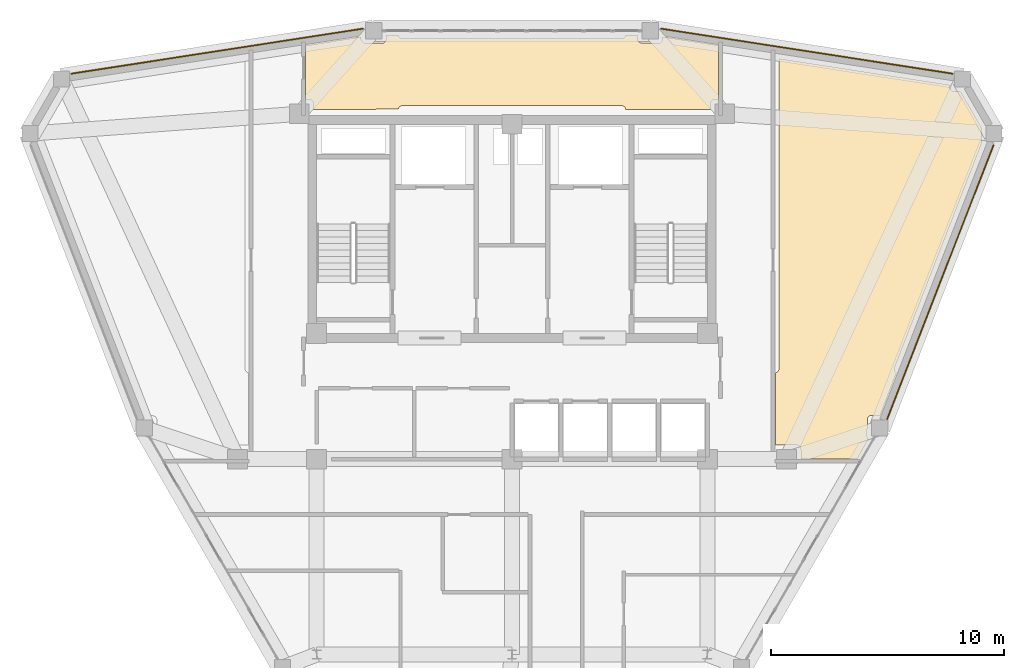
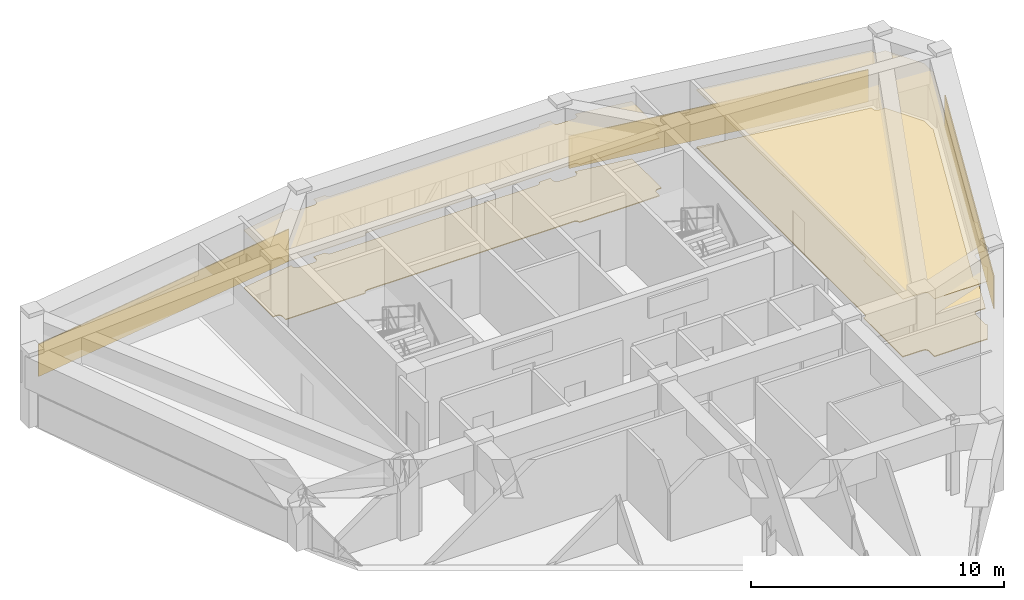
# One storey, part 14 of 14: 7 coverings.
"""IFC4 building model written with IfcOpenShell, lengths in metres."""

from ifc_helpers import new_model, si_unit, derived_unit, direction, frame, origin, place, context, subcontext, project, spatial, polyline, outline, extrude, material, layer, layer_set, type_object, element, save


model = new_model("IFC4")

# Units and contexts
model_context = context("Model", 3, precision=1e-05, world=origin(), true_north=direction((0.0, 1.0)))
body_context = subcontext(model_context, "Body", "Model", "MODEL_VIEW")
ifc_project = project(units=[si_unit("LENGTHUNIT", "METRE"), si_unit("AREAUNIT", "SQUARE_METRE"), si_unit("VOLUMEUNIT", "CUBIC_METRE"), si_unit("PLANEANGLEUNIT", "RADIAN"), si_unit("MASSUNIT", "GRAM", prefix="KILO"), derived_unit("THERMALTRANSMITTANCEUNIT", [(si_unit("POWERUNIT", "WATT"), 1), (si_unit("LENGTHUNIT", "METRE"), -2), (si_unit("THERMODYNAMICTEMPERATUREUNIT", "KELVIN"), -1)])], contexts=[model_context])

# Site, building, storey
site_placement = place(None, origin())
site = spatial("IfcSite", under=ifc_project, at=site_placement, CompositionType="ELEMENT")
building_placement = place(site_placement, origin())
building = spatial("IfcBuilding", under=site, at=building_placement, Name="Korsvarv Bourse and Concert Hall", CompositionType="ELEMENT")
storey_placement = place(building_placement, frame((0.0, 0.0, 253.800048828125)))
storey = spatial("IfcBuildingStorey", under=building, at=storey_placement, Name="L66", CompositionType="ELEMENT", Elevation=253.800048828125)

# Coverings
ifc_material_1 = material(Name="Perforated mineral-wool and birch acoustic baffle ceiling", Category="wood")
ifc_layer_1 = layer(ifc_material_1, 0.02490234375)
ifc_layer_set_1 = layer_set([ifc_layer_1], Name="Perforated mineral-wool and birch acoustic baffle ceiling")
covering_type_1 = type_object("IfcCoveringType", Name="COV-CEIL-1", PredefinedType="CEILING", material=ifc_layer_set_1)
covering_1_placement = place(storey_placement, frame((0.0, 0.0, 2.7900390625)))
element("IfcCovering", 1, at=covering_1_placement, inside=storey, type_object=covering_type_1, Name="L66 acoustic baffle ceiling 2", PredefinedType="CEILING", context=body_context, shape_type="SweptSolid", body=[
    extrude(outline(polyline([(47.320068359375, 36.111328125), (47.34521484375, 36.11572265625), (47.37939453125, 36.12841796875), (47.41015625, 36.147705078125), (47.4365234375, 36.1728515625), (47.45751953125, 36.20263671875), (47.4716796875, 36.236083984375), (47.47900390625, 36.271728515625), (47.47998046875, 49.623779296875), (54.82861328125, 48.48828125), (54.82861328125, 48.39892578125), (54.831787109375, 48.364501953125), (54.841796875, 48.331298828125), (54.85791015625, 48.300537109375), (54.879638671875, 48.2734375), (54.906005859375, 48.2509765625), (54.936279296875, 48.234130859375), (54.969482421875, 48.223388671875), (55.00390625, 48.218994140625), (55.2861328125, 48.211669921875), (56.185302734375, 46.654296875), (56.185302734375, 46.049072265625), (56.188720703125, 46.01416015625), (56.198486328125, 45.981689453125), (52.456787109375, 36.343994140625), (52.447265625, 36.30908203125), (52.44482421875, 36.272705078125), (52.44970703125, 36.23681640625), (52.4619140625, 36.202392578125), (52.480712890625, 36.171142578125), (52.505126953125, 36.144287109375), (52.53466796875, 36.123046875), (51.826416015625, 34.27783203125), (51.459716796875, 34.27783203125), (51.4248046875, 34.2744140625), (51.391357421875, 34.264404296875), (51.360595703125, 34.248046875), (51.333251953125, 34.22607421875), (51.310791015625, 34.19921875), (51.294189453125, 34.16845703125), (51.28369140625, 34.135009765625), (51.27978515625, 34.100341796875), (51.269775390625, 33.390380859375), (51.27294921875, 33.35400390625), (51.283203125, 33.319091796875), (51.300537109375, 33.287109375), (51.32373046875, 33.25927734375), (50.826416015625, 32.394775390625), (50.801513671875, 32.402099609375), (50.76611328125, 32.405517578125), (48.4150390625, 32.40966796875), (48.4150390625, 32.824951171875), (48.41162109375, 32.85986328125), (48.401611328125, 32.893310546875), (48.385009765625, 32.92431640625), (48.363037109375, 32.951416015625), (48.336181640625, 32.973876953125), (48.305419921875, 32.99072265625), (48.27197265625, 33.001220703125), (48.237060546875, 33.0048828125), (47.377197265625, 33.014892578125), (47.342041015625, 33.011962890625), (47.320068359375, 33.006103515625), (47.320068359375, 36.111328125)])), origin(), (0.0, 0.0, 1.0), 0.02490234375),
])
covering_2_placement = place(storey_placement, frame((0.0, 0.0, 2.7900390625)))
element("IfcCovering", 2, at=covering_2_placement, inside=storey, type_object=covering_type_1, Name="L66 acoustic baffle ceiling 3", PredefinedType="CEILING", context=body_context, shape_type="SweptSolid", body=[
    extrude(outline(polyline([(29.514404296875, 50.55712890625), (29.514404296875, 50.47265625), (29.517578125, 50.43798828125), (29.52783203125, 50.404296875), (29.544189453125, 50.37353515625), (29.566162109375, 50.34619140625), (29.593017578125, 50.323974609375), (29.623779296875, 50.30712890625), (29.656982421875, 50.296630859375), (29.69189453125, 50.292724609375), (30.40185546875, 50.28271484375), (30.4365234375, 50.28564453125), (30.47021484375, 50.295166015625), (30.50146484375, 50.31103515625), (30.52880859375, 50.332763671875), (30.5517578125, 50.359375), (30.56884765625, 50.389892578125), (30.579833984375, 50.423095703125), (30.584228515625, 50.457763671875), (30.58935546875, 50.642578125), (31.111328125, 50.642578125), (31.11572265625, 50.617431640625), (31.12841796875, 50.58349609375), (31.147705078125, 50.552490234375), (31.1728515625, 50.526123046875), (31.20263671875, 50.50537109375), (31.236083984375, 50.490966796875), (31.271728515625, 50.483642578125), (40.7099609375, 50.482666015625), (40.74609375, 50.486328125), (40.781005859375, 50.497314453125), (40.812744140625, 50.514892578125), (40.84033203125, 50.538818359375), (40.86279296875, 50.5673828125), (40.87890625, 50.60009765625), (40.887939453125, 50.635498046875), (41.40576171875, 50.642578125), (41.40576171875, 50.47265625), (41.4091796875, 50.43798828125), (41.419189453125, 50.404296875), (41.435546875, 50.37353515625), (41.45751953125, 50.34619140625), (41.484375, 50.323974609375), (41.51513671875, 50.30712890625), (41.54833984375, 50.296630859375), (41.583251953125, 50.292724609375), (42.293212890625, 50.28271484375), (42.327880859375, 50.28564453125), (42.361328125, 50.295166015625), (42.392578125, 50.31103515625), (42.419921875, 50.33251953125), (42.442626953125, 50.35888671875), (42.4599609375, 50.38916015625), (42.47119140625, 50.422119140625), (42.4755859375, 50.456787109375), (42.47900390625, 50.55810546875), (44.87060546875, 50.188720703125), (44.8701171875, 47.864990234375), (44.72509765625, 47.864990234375), (44.6904296875, 47.861572265625), (44.656982421875, 47.851806640625), (44.626220703125, 47.83544921875), (44.59912109375, 47.813720703125), (44.576904296875, 47.787109375), (44.559814453125, 47.7568359375), (44.54931640625, 47.7236328125), (44.544921875, 47.689208984375), (44.539306640625, 47.43994140625), (40.888671875, 47.43994140625), (40.88427734375, 47.465087890625), (40.87158203125, 47.499267578125), (40.852294921875, 47.5302734375), (40.8271484375, 47.556640625), (40.79736328125, 47.577392578125), (40.763916015625, 47.591796875), (40.728271484375, 47.59912109375), (31.2900390625, 47.60009765625), (31.25390625, 47.59619140625), (31.218994140625, 47.58544921875), (31.187255859375, 47.567626953125), (31.15966796875, 47.5439453125), (31.13720703125, 47.51513671875), (31.12109375, 47.482421875), (31.112060546875, 47.447265625), (27.465087890625, 47.43994140625), (27.465087890625, 47.675048828125), (27.461669921875, 47.70947265625), (27.451904296875, 47.74267578125), (27.435791015625, 47.773193359375), (27.414306640625, 47.80029296875), (27.3876953125, 47.82275390625), (27.357666015625, 47.839599609375), (27.32470703125, 47.8505859375), (27.290283203125, 47.85498046875), (27.1298828125, 47.859619140625), (27.1298828125, 50.178955078125), (29.514404296875, 50.55712890625)])), origin(), (0.0, 0.0, 1.0), 0.02490234375),
])
ifc_material_2 = material(Name="Warm iron-oxide extruded terracotta rainscreen tile", Category="ceramic")
ifc_layer_2 = layer(ifc_material_2, 0.044921875)
ifc_layer_set_2 = layer_set([ifc_layer_2], Name="Warm iron-oxide extruded terracotta rainscreen tile")
covering_type_2 = type_object("IfcCoveringType", Name="COV-CLD-TC", PredefinedType="CLADDING", material=ifc_layer_set_2)
covering_3_placement = place(storey_placement, origin())
element("IfcCovering", 3, at=covering_3_placement, inside=storey, type_object=covering_type_2, Name="L66 fluted terracotta cladding panel EW-L66-B02", PredefinedType="CLADDING", context=body_context, shape_type="SweptSolid", body=[
    extrude(outline(polyline([(54.955078125, 48.949462890625), (42.400390625, 50.88916015625), (42.4072265625, 50.93359375), (54.9619140625, 48.993896484375), (54.955078125, 48.949462890625)])), origin(), (0.0, 0.0, 1.0), 1.56005859375),
])
covering_4_placement = place(storey_placement, origin())
element("IfcCovering", 4, at=covering_4_placement, inside=storey, type_object=covering_type_2, Name="L66 fluted terracotta cladding panel EW-L66-B04", PredefinedType="CLADDING", context=body_context, shape_type="SweptSolid", body=[
    extrude(outline(polyline([(29.599609375, 50.88916015625), (17.044921875, 48.949462890625), (17.0380859375, 48.993896484375), (29.5927734375, 50.93359375), (29.599609375, 50.88916015625)])), origin(), (0.0, 0.0, 1.0), 1.56005859375),
])
covering_5_placement = place(storey_placement, origin())
element("IfcCovering", 5, at=covering_5_placement, inside=storey, type_object=covering_type_2, Name="L66 fluted terracotta cladding panel EW-L66-B12", PredefinedType="CLADDING", context=body_context, shape_type="SweptSolid", body=[
    extrude(outline(polyline([(52.102294921875, 34.118408203125), (56.684326171875, 45.920654296875), (56.726318359375, 45.904296875), (52.144287109375, 34.102294921875), (52.102294921875, 34.118408203125)])), origin(), (0.0, 0.0, 1.0), 1.56005859375),
])
ifc_material_3 = material(Name="Calcium-sulphate raised access trading floor with Nordic oak top", Category="wood")
ifc_layer_3 = layer(ifc_material_3, 0.0400390625)
ifc_layer_set_3 = layer_set([ifc_layer_3], Name="Calcium-sulphate raised access trading floor with Nordic oak top")
covering_type_3 = type_object("IfcCoveringType", Name="COV-FLOR-1", PredefinedType="FLOORING", material=ifc_layer_set_3)
covering_6_placement = place(storey_placement, origin())
element("IfcCovering", 6, at=covering_6_placement, inside=storey, type_object=covering_type_3, Name="L66 raised access oak floor finish 2", PredefinedType="FLOORING", context=body_context, shape_type="SweptSolid", body=[
    extrude(outline(polyline([(47.320068359375, 36.111328125), (47.34521484375, 36.11572265625), (47.37939453125, 36.12841796875), (47.41015625, 36.147705078125), (47.4365234375, 36.1728515625), (47.45751953125, 36.20263671875), (47.4716796875, 36.236083984375), (47.47900390625, 36.271728515625), (47.47998046875, 49.623779296875), (54.82861328125, 48.48828125), (54.82861328125, 48.39892578125), (54.831787109375, 48.364501953125), (54.841796875, 48.331298828125), (54.85791015625, 48.300537109375), (54.879638671875, 48.2734375), (54.906005859375, 48.2509765625), (54.936279296875, 48.234130859375), (54.969482421875, 48.223388671875), (55.00390625, 48.218994140625), (55.2861328125, 48.211669921875), (56.185302734375, 46.654296875), (56.185302734375, 46.049072265625), (56.188720703125, 46.01416015625), (56.198486328125, 45.981689453125), (52.456787109375, 36.343994140625), (52.447265625, 36.30908203125), (52.44482421875, 36.272705078125), (52.44970703125, 36.23681640625), (52.4619140625, 36.202392578125), (52.480712890625, 36.171142578125), (52.505126953125, 36.144287109375), (52.53466796875, 36.123046875), (51.826416015625, 34.27783203125), (51.459716796875, 34.27783203125), (51.4248046875, 34.2744140625), (51.391357421875, 34.264404296875), (51.360595703125, 34.248046875), (51.333251953125, 34.22607421875), (51.310791015625, 34.19921875), (51.294189453125, 34.16845703125), (51.28369140625, 34.135009765625), (51.27978515625, 34.100341796875), (51.269775390625, 33.390380859375), (51.27294921875, 33.35400390625), (51.283203125, 33.319091796875), (51.300537109375, 33.287109375), (51.32373046875, 33.25927734375), (50.826416015625, 32.394775390625), (50.801513671875, 32.402099609375), (50.76611328125, 32.405517578125), (48.4150390625, 32.40966796875), (48.4150390625, 32.824951171875), (48.41162109375, 32.85986328125), (48.401611328125, 32.893310546875), (48.385009765625, 32.92431640625), (48.363037109375, 32.951416015625), (48.336181640625, 32.973876953125), (48.305419921875, 32.99072265625), (48.27197265625, 33.001220703125), (48.237060546875, 33.0048828125), (47.377197265625, 33.014892578125), (47.342041015625, 33.011962890625), (47.320068359375, 33.006103515625), (47.320068359375, 36.111328125)])), origin(), (0.0, 0.0, 1.0), 0.0400390625),
])
covering_7_placement = place(storey_placement, origin())
element("IfcCovering", 7, at=covering_7_placement, inside=storey, type_object=covering_type_3, Name="L66 raised access oak floor finish 3", PredefinedType="FLOORING", context=body_context, shape_type="SweptSolid", body=[
    extrude(outline(polyline([(29.514404296875, 50.55712890625), (29.514404296875, 50.47265625), (29.517578125, 50.43798828125), (29.52783203125, 50.404296875), (29.544189453125, 50.37353515625), (29.566162109375, 50.34619140625), (29.593017578125, 50.323974609375), (29.623779296875, 50.30712890625), (29.656982421875, 50.296630859375), (29.69189453125, 50.292724609375), (30.40185546875, 50.28271484375), (30.4365234375, 50.28564453125), (30.47021484375, 50.295166015625), (30.50146484375, 50.31103515625), (30.52880859375, 50.332763671875), (30.5517578125, 50.359375), (30.56884765625, 50.389892578125), (30.579833984375, 50.423095703125), (30.584228515625, 50.457763671875), (30.58935546875, 50.642578125), (31.111328125, 50.642578125), (31.11572265625, 50.617431640625), (31.12841796875, 50.58349609375), (31.147705078125, 50.552490234375), (31.1728515625, 50.526123046875), (31.20263671875, 50.50537109375), (31.236083984375, 50.490966796875), (31.271728515625, 50.483642578125), (40.7099609375, 50.482666015625), (40.74609375, 50.486328125), (40.781005859375, 50.497314453125), (40.812744140625, 50.514892578125), (40.84033203125, 50.538818359375), (40.86279296875, 50.5673828125), (40.87890625, 50.60009765625), (40.887939453125, 50.635498046875), (41.40576171875, 50.642578125), (41.40576171875, 50.47265625), (41.4091796875, 50.43798828125), (41.419189453125, 50.404296875), (41.435546875, 50.37353515625), (41.45751953125, 50.34619140625), (41.484375, 50.323974609375), (41.51513671875, 50.30712890625), (41.54833984375, 50.296630859375), (41.583251953125, 50.292724609375), (42.293212890625, 50.28271484375), (42.327880859375, 50.28564453125), (42.361328125, 50.295166015625), (42.392578125, 50.31103515625), (42.419921875, 50.33251953125), (42.442626953125, 50.35888671875), (42.4599609375, 50.38916015625), (42.47119140625, 50.422119140625), (42.4755859375, 50.456787109375), (42.47900390625, 50.55810546875), (44.87060546875, 50.188720703125), (44.8701171875, 47.864990234375), (44.72509765625, 47.864990234375), (44.6904296875, 47.861572265625), (44.656982421875, 47.851806640625), (44.626220703125, 47.83544921875), (44.59912109375, 47.813720703125), (44.576904296875, 47.787109375), (44.559814453125, 47.7568359375), (44.54931640625, 47.7236328125), (44.544921875, 47.689208984375), (44.539306640625, 47.43994140625), (40.888671875, 47.43994140625), (40.88427734375, 47.465087890625), (40.87158203125, 47.499267578125), (40.852294921875, 47.5302734375), (40.8271484375, 47.556640625), (40.79736328125, 47.577392578125), (40.763916015625, 47.591796875), (40.728271484375, 47.59912109375), (31.2900390625, 47.60009765625), (31.25390625, 47.59619140625), (31.218994140625, 47.58544921875), (31.187255859375, 47.567626953125), (31.15966796875, 47.5439453125), (31.13720703125, 47.51513671875), (31.12109375, 47.482421875), (31.112060546875, 47.447265625), (27.465087890625, 47.43994140625), (27.465087890625, 47.675048828125), (27.461669921875, 47.70947265625), (27.451904296875, 47.74267578125), (27.435791015625, 47.773193359375), (27.414306640625, 47.80029296875), (27.3876953125, 47.82275390625), (27.357666015625, 47.839599609375), (27.32470703125, 47.8505859375), (27.290283203125, 47.85498046875), (27.1298828125, 47.859619140625), (27.1298828125, 50.178955078125), (29.514404296875, 50.55712890625)])), origin(), (0.0, 0.0, 1.0), 0.0400390625),
])

save(model, "model.ifc")
